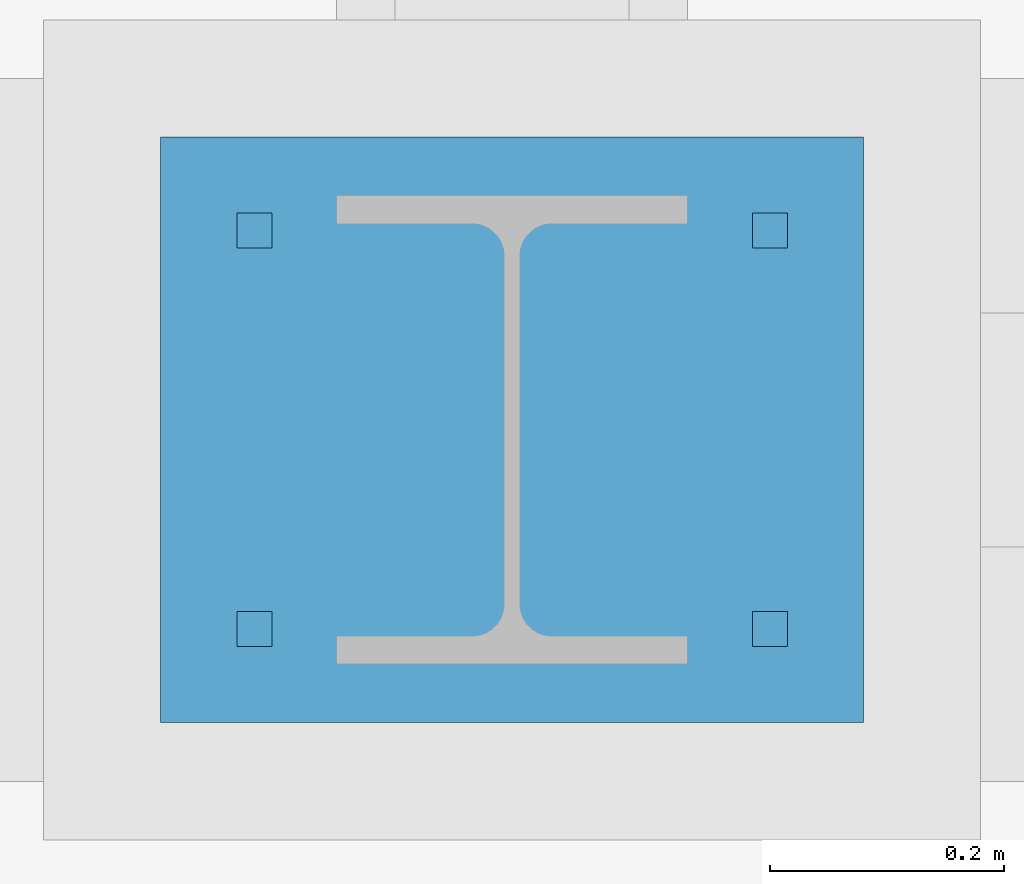
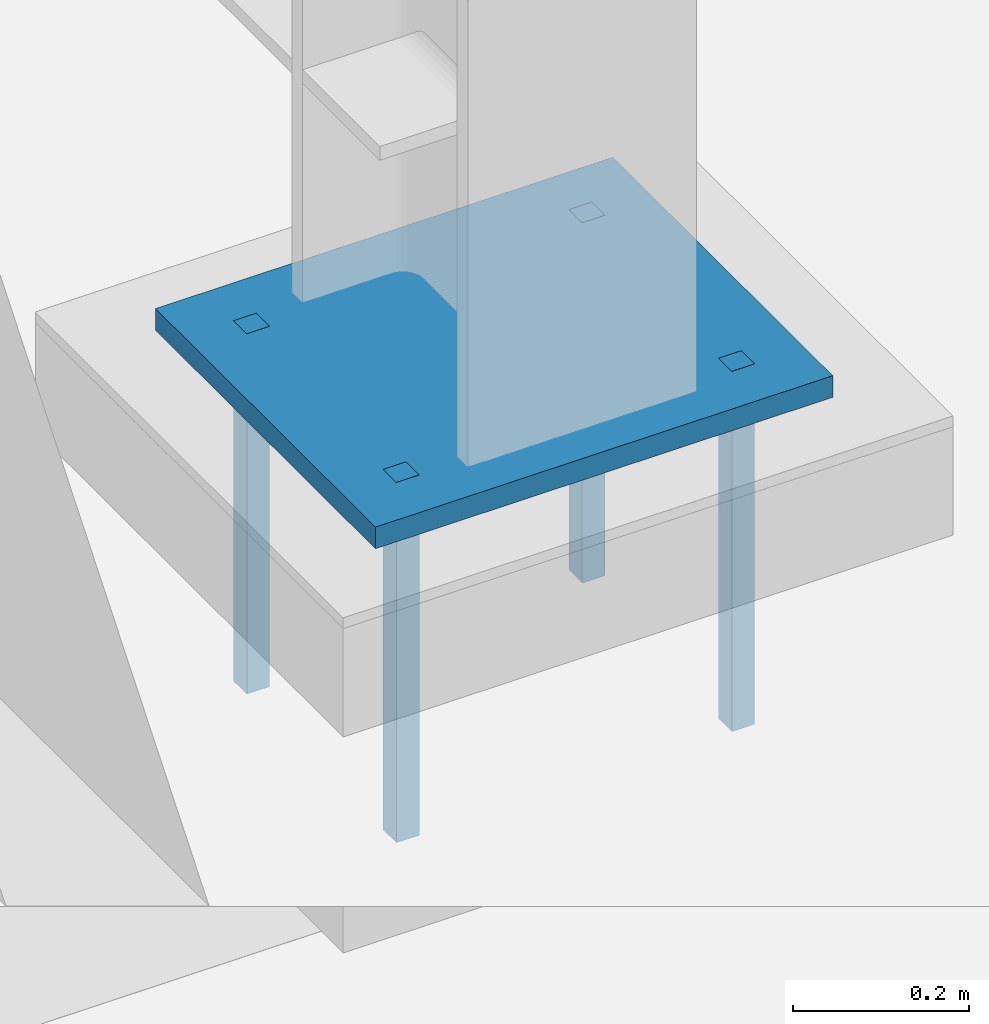
# One storey, part 21 of 29: 5 discrete accessories.
"""IFC4 building model written with IfcOpenShell, lengths in metres."""

from ifc_helpers import new_model, si_unit, direction, frame, origin, origin_2d, place, context, subcontext, project, spatial, rectangle, extrude, material, layer, layer_set, type_object, element, save


model = new_model("IFC4")

# Units and contexts
model_context = context("Model", 3, precision=1e-05, world=origin(), true_north=direction((0.0, 1.0)))
body_context = subcontext(model_context, "Body", "Model", "MODEL_VIEW")
ifc_project = project(units=[si_unit("LENGTHUNIT", "METRE"), si_unit("AREAUNIT", "SQUARE_METRE"), si_unit("VOLUMEUNIT", "CUBIC_METRE"), si_unit("PLANEANGLEUNIT", "RADIAN"), si_unit("MASSUNIT", "GRAM", prefix="KILO")], contexts=[model_context])

# Site, building, storey
site_placement = place(None, origin())
site = spatial("IfcSite", under=ifc_project, at=site_placement, CompositionType="ELEMENT")
building_placement = place(site_placement, origin())
building = spatial("IfcBuilding", under=site, at=building_placement, Name="Msitu Wima Residences", CompositionType="ELEMENT")
storey_placement = place(building_placement, frame((0.0, 0.0, 320.10009765625)))
storey = spatial("IfcBuildingStorey", under=building, at=storey_placement, Name="L74", CompositionType="ELEMENT", Elevation=320.10009765625)

# Discrete accessories
ifc_material = material(Name="Steel S355", Category="steel")
discrete_accessory_type_1 = type_object("IfcDiscreteAccessoryType", Name="Damper anchor bolt AB1", PredefinedType="USERDEFINED", material=ifc_material)
for number, where, z_axis, x_axis, name in (
    (1, (17.179931640625, -4.638671875, -0.30517578125), (0.0, 0.0, 1.0), (1.0, 0.0, 0.0), "Anchor bolt E1.1"),
    (2, (17.6201171875, -4.638671875, -0.30517578125), (0.0, 0.0, 1.0), (1.0, 0.0, 0.0), "Anchor bolt E1.2"),
    (3, (17.6201171875, -4.298583984375, -0.30517578125), (0.0, 0.0, 1.0), (1.0, 0.0, 0.0), "Anchor bolt E1.3"),
    (4, (17.179931640625, -4.298583984375, -0.30517578125), (0.0, 0.0, 1.0), (1.0, 0.0, 0.0), "Anchor bolt E1.4"),
):
    element("IfcDiscreteAccessory", number, at=place(storey_placement, frame(where, z_axis=z_axis, x_axis=x_axis)), inside=storey, type_object=discrete_accessory_type_1, Name=name, ObjectType="ANCHOR BOLT", PredefinedType="USERDEFINED", context=body_context, shape_type="SweptSolid", body=[
        extrude(rectangle(XDim=0.030029296875, YDim=0.030029296875, at=origin_2d()), origin(), (0.0, 0.0, 1.0), 0.5),
    ])
ifc_layer = layer(ifc_material, 0.030029296875)
ifc_layer_set = layer_set([ifc_layer], Name="Steel S355")
discrete_accessory_type_2 = type_object("IfcDiscreteAccessoryType", Name="Damper base plate BP1", PredefinedType="USERDEFINED", material=ifc_layer_set)
discrete_accessory_placement = place(storey_placement, frame((17.39990234375, -4.46875, 0.1650390625), z_axis=(0.0, 0.0, 1.0), x_axis=(1.0, 0.0, 0.0)))
element("IfcDiscreteAccessory", 5, at=discrete_accessory_placement, inside=storey, type_object=discrete_accessory_type_2, Name="Base plate E1", ObjectType="BASE PLATE", PredefinedType="USERDEFINED", context=body_context, shape_type="SweptSolid", body=[
    extrude(rectangle(XDim=0.60009765625, YDim=0.5, at=origin_2d()), origin(), (0.0, 0.0, 1.0), 0.030029296875),
])

save(model, "model.ifc")
